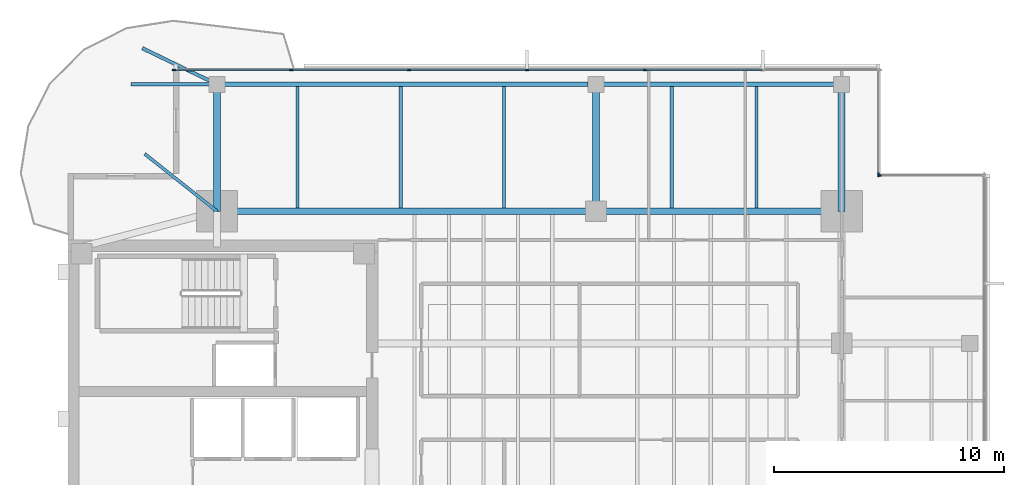
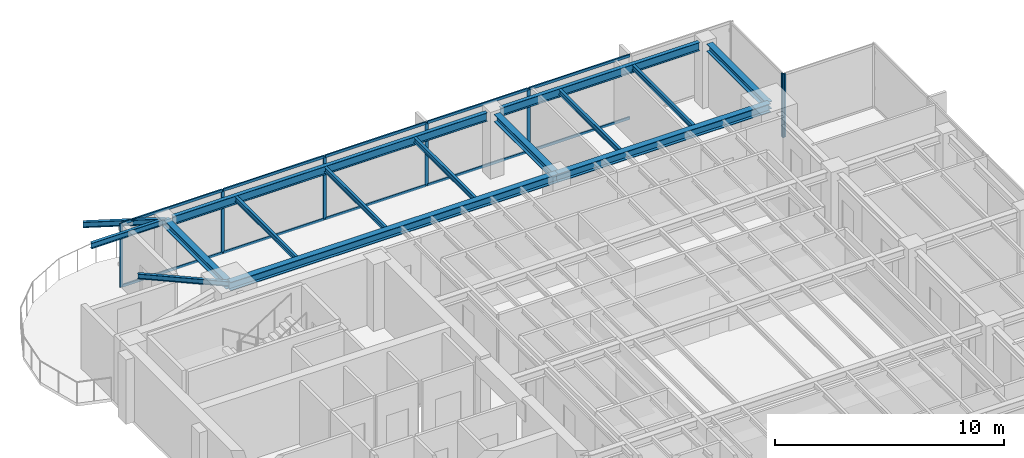
# One storey, part 5 of 14: 17 members, 15 beams, 3 elements without a shape of their own.
"""IFC4 building model written with IfcOpenShell, lengths in metres."""

from ifc_helpers import new_model, si_unit, direction, frame, origin, origin_2d, place, context, subcontext, project, spatial, rectangle, i_section, extrude, material, layer, layer_set, material_profile, profile_set, type_object, element, aggregate, save


model = new_model("IFC4")

# Units and contexts
model_context = context("Model", 3, precision=1e-05, world=origin(), true_north=direction((0.0, 1.0)))
body_context = subcontext(model_context, "Body", "Model", "MODEL_VIEW")
ifc_project = project(units=[si_unit("LENGTHUNIT", "METRE"), si_unit("AREAUNIT", "SQUARE_METRE"), si_unit("VOLUMEUNIT", "CUBIC_METRE"), si_unit("PLANEANGLEUNIT", "RADIAN"), si_unit("MASSUNIT", "GRAM", prefix="KILO")], contexts=[model_context])

# Site, building, storey
site_placement = place(None, origin())
site = spatial("IfcSite", under=ifc_project, at=site_placement, CompositionType="ELEMENT")
building_placement = place(site_placement, origin())
building = spatial("IfcBuilding", under=site, at=building_placement, Name="Kinhvarn Gate Tower", CompositionType="ELEMENT")
storey_placement = place(building_placement, frame((0.0, 0.0, 281.199951171875)))
storey = spatial("IfcBuildingStorey", under=building, at=storey_placement, Name="L75", CompositionType="ELEMENT", Elevation=281.199951171875)

# Curtain wall, members
ifc_material_1 = material(Name="Anodised aluminium AW-6063", Category="aluminium")
ifc_layer_1 = layer(ifc_material_1, 0.179931640625)
ifc_layer_set_1 = layer_set([ifc_layer_1], Name="Anodised aluminium AW-6063")
curtain_wall_type_1 = type_object("IfcCurtainWallType", Name="CW-SYS-3", PredefinedType="NOTDEFINED", material=ifc_layer_set_1)
curtain_wall_1_placement = place(storey_placement, origin())
curtain_wall_1 = element("IfcCurtainWall", 1, at=curtain_wall_1_placement, inside=storey, type_object=curtain_wall_type_1, Name="Curtain Wall CW3 (L75)", PredefinedType="NOTDEFINED")
ifc_material_profile_1 = material_profile(ifc_material_1, rectangle(XDim=0.06494140625, YDim=0.159912109375, at=origin_2d()), Name="ALU 65x160")
ifc_profile_set_1 = profile_set([ifc_material_profile_1], Name="Anodised aluminium AW-6063")
member_type_1 = type_object("IfcMemberType", Name="CW-MUL-160", PredefinedType="MULLION", material=ifc_profile_set_1)
member_1_placement = place(storey_placement, frame((29.63330078125, 43.909912109375, 0.0), z_axis=(0.0, 0.0, 1.0), x_axis=(0.0, -1.0, 0.0)))
member_1 = element("IfcMember", 2, at=member_1_placement, type_object=member_type_1, Name="CW3 mullion 3", PredefinedType="MULLION", context=body_context, shape_type="SweptSolid", body=[
    extrude(rectangle(XDim=0.06494140625, YDim=0.159912109375, at=origin_2d()), origin(), (0.0, 0.0, 1.0), 3.39013671875),
])
member_2_placement = place(storey_placement, frame((24.5, 43.909912109375, 0.0), z_axis=(0.0, 0.0, 1.0), x_axis=(0.0, -1.0, 0.0)))
member_2 = element("IfcMember", 3, at=member_2_placement, type_object=member_type_1, Name="CW3 mullion 4", PredefinedType="MULLION", context=body_context, shape_type="SweptSolid", body=[
    extrude(rectangle(XDim=0.06494140625, YDim=0.159912109375, at=origin_2d()), origin(), (0.0, 0.0, 1.0), 3.39013671875),
])
member_3_placement = place(storey_placement, frame((19.36669921875, 43.909912109375, 0.0), z_axis=(0.0, 0.0, 1.0), x_axis=(0.0, -1.0, 0.0)))
member_3 = element("IfcMember", 4, at=member_3_placement, type_object=member_type_1, Name="CW3 mullion 5", PredefinedType="MULLION", context=body_context, shape_type="SweptSolid", body=[
    extrude(rectangle(XDim=0.06494140625, YDim=0.159912109375, at=origin_2d()), origin(), (0.0, 0.0, 1.0), 3.39013671875),
])
member_4_placement = place(storey_placement, frame((14.2333984375, 43.909912109375, 0.0), z_axis=(0.0, 0.0, 1.0), x_axis=(0.0, -1.0, 0.0)))
member_4 = element("IfcMember", 5, at=member_4_placement, type_object=member_type_1, Name="CW3 mullion 6", PredefinedType="MULLION", context=body_context, shape_type="SweptSolid", body=[
    extrude(rectangle(XDim=0.06494140625, YDim=0.159912109375, at=origin_2d()), origin(), (0.0, 0.0, 1.0), 3.39013671875),
])
member_5_placement = place(storey_placement, frame((9.132568359375, 43.909912109375, 0.0), z_axis=(0.0, 0.0, 1.0), x_axis=(0.0, -1.0, 0.0)))
member_5 = element("IfcMember", 6, at=member_5_placement, type_object=member_type_1, Name="CW3 mullion 7", PredefinedType="MULLION", context=body_context, shape_type="SweptSolid", body=[
    extrude(rectangle(XDim=0.06494140625, YDim=0.159912109375, at=origin_2d()), origin(), (0.0, 0.0, 1.0), 3.39013671875),
])

# Curtain wall, member
ifc_layer_2 = layer(ifc_material_1, 0.179931640625)
ifc_layer_set_2 = layer_set([ifc_layer_2], Name="Anodised aluminium AW-6063")
curtain_wall_type_2 = type_object("IfcCurtainWallType", Name="CW-SYS-4", PredefinedType="NOTDEFINED", material=ifc_layer_set_2)
curtain_wall_2_placement = place(storey_placement, origin())
curtain_wall_2 = element("IfcCurtainWall", 7, at=curtain_wall_2_placement, inside=storey, type_object=curtain_wall_type_2, Name="Curtain Wall CW4 (L75)", PredefinedType="NOTDEFINED")
member_6_placement = place(storey_placement, frame((39.842529296875, 39.31005859375, 0.0), z_axis=(0.0, 0.0, 1.0), x_axis=(0.0, -1.0, 0.0)))
member_6 = element("IfcMember", 8, at=member_6_placement, type_object=member_type_1, Name="CW4 mullion 2", PredefinedType="MULLION", context=body_context, shape_type="SweptSolid", body=[
    extrude(rectangle(XDim=0.06494140625, YDim=0.159912109375, at=origin_2d()), origin(), (0.0, 0.0, 1.0), 3.39013671875),
])
aggregate(curtain_wall_2, [member_6])

curtain_wall_3_placement = place(storey_placement, origin())
curtain_wall_3 = element("IfcCurtainWall", 9, at=curtain_wall_3_placement, inside=storey, type_object=curtain_wall_type_2, Name="Curtain Wall CW4 (L75)", PredefinedType="NOTDEFINED")
member_7_placement = place(storey_placement, frame((39.81005859375, 39.342529296875, 0.0), z_axis=(0.0, 0.0, 1.0), x_axis=(-1.0, 0.0, 0.0)))
member_7 = element("IfcMember", 10, at=member_7_placement, type_object=member_type_1, Name="CW4 mullion 1", PredefinedType="MULLION", context=body_context, shape_type="SweptSolid", body=[
    extrude(rectangle(XDim=0.06494140625, YDim=0.159912109375, at=origin_2d()), origin(), (0.0, 0.0, 1.0), 3.39013671875),
])
aggregate(curtain_wall_3, [member_7])

# Member
ifc_material_profile_2 = material_profile(ifc_material_1, rectangle(XDim=0.070068359375, YDim=0.139892578125, at=origin_2d()), Name="ALU 70x140")
ifc_profile_set_2 = profile_set([ifc_material_profile_2], Name="Anodised aluminium AW-6063")
member_type_2 = type_object("IfcMemberType", Name="CW-TRN-140", PredefinedType="USERDEFINED", material=ifc_profile_set_2)
member_8_placement = place(storey_placement, frame((34.734130859375, 43.909912109375, 0.03515625), z_axis=(-1.0, 0.0, 0.0), x_axis=(0.0, -1.0, 0.0)))
member_8 = element("IfcMember", 11, at=member_8_placement, type_object=member_type_2, Name="CW3 transom 2.1", ObjectType="TRANSOM", PredefinedType="USERDEFINED", context=body_context, shape_type="SweptSolid", body=[
    extrude(rectangle(XDim=0.070068359375, YDim=0.139892578125, at=origin_2d()), origin(), (0.0, 0.0, 1.0), 5.068359375),
])

member_9_placement = place(storey_placement, frame((34.734130859375, 43.909912109375, 3.35498046875), z_axis=(-1.0, 0.0, 0.0), x_axis=(0.0, -1.0, 0.0)))
member_9 = element("IfcMember", 12, at=member_9_placement, type_object=member_type_2, Name="CW3 transom 2.2", ObjectType="TRANSOM", PredefinedType="USERDEFINED", context=body_context, shape_type="SweptSolid", body=[
    extrude(rectangle(XDim=0.070068359375, YDim=0.139892578125, at=origin_2d()), origin(), (0.0, 0.0, 1.0), 5.068359375),
])

member_10_placement = place(storey_placement, frame((29.600830078125, 43.909912109375, 0.03515625), z_axis=(-1.0, 0.0, 0.0), x_axis=(0.0, -1.0, 0.0)))
member_10 = element("IfcMember", 13, at=member_10_placement, type_object=member_type_2, Name="CW3 transom 3.1", ObjectType="TRANSOM", PredefinedType="USERDEFINED", context=body_context, shape_type="SweptSolid", body=[
    extrude(rectangle(XDim=0.070068359375, YDim=0.139892578125, at=origin_2d()), origin(), (0.0, 0.0, 1.0), 5.068359375),
])

member_11_placement = place(storey_placement, frame((29.600830078125, 43.909912109375, 3.35498046875), z_axis=(-1.0, 0.0, 0.0), x_axis=(0.0, -1.0, 0.0)))
member_11 = element("IfcMember", 14, at=member_11_placement, type_object=member_type_2, Name="CW3 transom 3.2", ObjectType="TRANSOM", PredefinedType="USERDEFINED", context=body_context, shape_type="SweptSolid", body=[
    extrude(rectangle(XDim=0.070068359375, YDim=0.139892578125, at=origin_2d()), origin(), (0.0, 0.0, 1.0), 5.068359375),
])

member_12_placement = place(storey_placement, frame((24.467529296875, 43.909912109375, 0.03515625), z_axis=(-1.0, 0.0, 0.0), x_axis=(0.0, -1.0, 0.0)))
member_12 = element("IfcMember", 15, at=member_12_placement, type_object=member_type_2, Name="CW3 transom 4.1", ObjectType="TRANSOM", PredefinedType="USERDEFINED", context=body_context, shape_type="SweptSolid", body=[
    extrude(rectangle(XDim=0.070068359375, YDim=0.139892578125, at=origin_2d()), origin(), (0.0, 0.0, 1.0), 5.068359375),
])

member_13_placement = place(storey_placement, frame((24.467529296875, 43.909912109375, 3.35498046875), z_axis=(-1.0, 0.0, 0.0), x_axis=(0.0, -1.0, 0.0)))
member_13 = element("IfcMember", 16, at=member_13_placement, type_object=member_type_2, Name="CW3 transom 4.2", ObjectType="TRANSOM", PredefinedType="USERDEFINED", context=body_context, shape_type="SweptSolid", body=[
    extrude(rectangle(XDim=0.070068359375, YDim=0.139892578125, at=origin_2d()), origin(), (0.0, 0.0, 1.0), 5.068359375),
])

member_14_placement = place(storey_placement, frame((19.334228515625, 43.909912109375, 0.03515625), z_axis=(-1.0, 0.0, 0.0), x_axis=(0.0, -1.0, 0.0)))
member_14 = element("IfcMember", 17, at=member_14_placement, type_object=member_type_2, Name="CW3 transom 5.1", ObjectType="TRANSOM", PredefinedType="USERDEFINED", context=body_context, shape_type="SweptSolid", body=[
    extrude(rectangle(XDim=0.070068359375, YDim=0.139892578125, at=origin_2d()), origin(), (0.0, 0.0, 1.0), 5.068359375),
])

member_15_placement = place(storey_placement, frame((19.334228515625, 43.909912109375, 3.35498046875), z_axis=(-1.0, 0.0, 0.0), x_axis=(0.0, -1.0, 0.0)))
member_15 = element("IfcMember", 18, at=member_15_placement, type_object=member_type_2, Name="CW3 transom 5.2", ObjectType="TRANSOM", PredefinedType="USERDEFINED", context=body_context, shape_type="SweptSolid", body=[
    extrude(rectangle(XDim=0.070068359375, YDim=0.139892578125, at=origin_2d()), origin(), (0.0, 0.0, 1.0), 5.068359375),
])

member_16_placement = place(storey_placement, frame((14.200927734375, 43.909912109375, 0.03515625), z_axis=(-1.0, 0.0, 0.0), x_axis=(0.0, -1.0, 0.0)))
member_16 = element("IfcMember", 19, at=member_16_placement, type_object=member_type_2, Name="CW3 transom 6.1", ObjectType="TRANSOM", PredefinedType="USERDEFINED", context=body_context, shape_type="SweptSolid", body=[
    extrude(rectangle(XDim=0.070068359375, YDim=0.139892578125, at=origin_2d()), origin(), (0.0, 0.0, 1.0), 5.035888671875),
])

member_17_placement = place(storey_placement, frame((14.200927734375, 43.909912109375, 3.35498046875), z_axis=(-1.0, 0.0, 0.0), x_axis=(0.0, -1.0, 0.0)))
member_17 = element("IfcMember", 20, at=member_17_placement, type_object=member_type_2, Name="CW3 transom 6.2", ObjectType="TRANSOM", PredefinedType="USERDEFINED", context=body_context, shape_type="SweptSolid", body=[
    extrude(rectangle(XDim=0.070068359375, YDim=0.139892578125, at=origin_2d()), origin(), (0.0, 0.0, 1.0), 5.035888671875),
])

aggregate(curtain_wall_1, [member_1, member_2, member_3, member_4, member_5, member_8, member_9, member_10, member_11, member_12, member_13, member_14, member_15, member_16, member_17])

# Beams
ifc_material_2 = material(Name="Steel S355", Category="steel")
ifc_material_profile_3 = material_profile(ifc_material_2, i_section(OverallWidth=0.300048828125, OverallDepth=0.39990234375, WebThickness=0.013427734375, FlangeThickness=0.02392578125, at=origin_2d()), Name="HEB 400")
ifc_profile_set_3 = profile_set([ifc_material_profile_3], Name="Steel S355")
beam_type_1 = type_object("IfcBeamType", Name="STL-HEB400", PredefinedType="BEAM", material=ifc_profile_set_3)
beam_1_placement = place(storey_placement, frame((11.0, 37.75, 3.18994140625), z_axis=(0.0, 1.0, 0.0), x_axis=(-1.0, 0.0, 0.0)))
element("IfcBeam", 21, at=beam_1_placement, inside=storey, type_object=beam_type_1, Name="Floor Beam PG-12 (L75 MCW-N)", PredefinedType="BEAM", context=body_context, shape_type="SweptSolid", body=[
    extrude(i_section(OverallWidth=0.300048828125, OverallDepth=0.39990234375, WebThickness=0.013427734375, FlangeThickness=0.02392578125, at=origin_2d()), origin(), (0.0, 0.0, 1.0), 5.530029296875),
])
for number, where, z_axis, x_axis, name in (
    (22, (27.5, 37.75, 3.18994140625), (0.0, 1.0, 0.0), (-1.0, 0.0, 0.0), "Floor Beam PG-12 (L75 SP27-N-TIE)"),
    (23, (38.199951171875, 37.75, 3.18994140625), (0.0, 1.0, 0.0), (-1.0, 0.0, 0.0), "Floor Beam PG-12 (L75 MCE-N)"),
):
    element("IfcBeam", number, at=place(storey_placement, frame(where, z_axis=z_axis, x_axis=x_axis)), inside=storey, type_object=beam_type_1, Name=name, PredefinedType="BEAM", context=body_context, shape_type="SweptSolid", body=[
        extrude(i_section(OverallWidth=0.300048828125, OverallDepth=0.39990234375, WebThickness=0.013427734375, FlangeThickness=0.02392578125, at=origin_2d()), origin(), (0.0, 0.0, 1.0), 5.195068359375),
    ])
ifc_material_profile_4 = material_profile(ifc_material_2, i_section(OverallWidth=0.300048828125, OverallDepth=0.449951171875, WebThickness=0.013916015625, FlangeThickness=0.02587890625, at=origin_2d()), Name="HEB 450")
ifc_profile_set_4 = profile_set([ifc_material_profile_4], Name="Steel S355")
beam_type_2 = type_object("IfcBeamType", Name="STL-HEB450", PredefinedType="BEAM", material=ifc_profile_set_4)
beam_2_placement = place(storey_placement, frame((11.0, 37.75, 3.1650390625), z_axis=(1.0, 0.0, 0.0), x_axis=(0.0, 1.0, 0.0)))
element("IfcBeam", 24, at=beam_2_placement, inside=storey, type_object=beam_type_2, Name="Floor Beam PG-13 (L75 MG-N1)", PredefinedType="BEAM", context=body_context, shape_type="SweptSolid", body=[
    extrude(i_section(OverallWidth=0.300048828125, OverallDepth=0.449951171875, WebThickness=0.013916015625, FlangeThickness=0.02587890625, at=origin_2d()), origin(), (0.0, 0.0, 1.0), 16.5),
])
beam_3_placement = place(storey_placement, frame((27.5, 37.75, 3.1650390625), z_axis=(1.0, 0.0, 0.0), x_axis=(0.0, 1.0, 0.0)))
element("IfcBeam", 25, at=beam_3_placement, inside=storey, type_object=beam_type_2, Name="Floor Beam PG-13 (L75 MG-N2)", PredefinedType="BEAM", context=body_context, shape_type="SweptSolid", body=[
    extrude(i_section(OverallWidth=0.300048828125, OverallDepth=0.449951171875, WebThickness=0.013916015625, FlangeThickness=0.02587890625, at=origin_2d()), origin(), (0.0, 0.0, 1.0), 10.699951171875),
])
ifc_material_profile_5 = material_profile(ifc_material_2, i_section(OverallWidth=0.135009765625, OverallDepth=0.27001953125, WebThickness=0.006591796875, FlangeThickness=0.01025390625, at=origin_2d()), Name="IPE 270")
ifc_profile_set_5 = profile_set([ifc_material_profile_5], Name="Steel S355")
beam_type_3 = type_object("IfcBeamType", Name="STL-IPE270", PredefinedType="JOIST", material=ifc_profile_set_5)
for number, where, z_axis, x_axis, name in (
    (26, (14.5, 37.89990234375, 3.255126953125), (0.0, 1.0, 0.0), (-1.0, 0.0, 0.0), "Floor Joist SB-01 (L75 JN-X145)"),
    (27, (19.0, 37.89990234375, 3.255126953125), (0.0, 1.0, 0.0), (-1.0, 0.0, 0.0), "Floor Joist SB-01 (L75 JN-X190)"),
    (28, (23.5, 37.89990234375, 3.255126953125), (0.0, 1.0, 0.0), (-1.0, 0.0, 0.0), "Floor Joist SB-01 (L75 JN-X235)"),
    (29, (30.800048828125, 37.89990234375, 3.255126953125), (0.0, 1.0, 0.0), (-1.0, 0.0, 0.0), "Floor Joist SB-01 (L75 JN-X308)"),
    (30, (34.5, 37.89990234375, 3.255126953125), (0.0, 1.0, 0.0), (-1.0, 0.0, 0.0), "Floor Joist SB-01 (L75 JN-X345)"),
):
    element("IfcBeam", number, at=place(storey_placement, frame(where, z_axis=z_axis, x_axis=x_axis)), inside=storey, type_object=beam_type_3, Name=name, PredefinedType="JOIST", context=body_context, shape_type="SweptSolid", body=[
        extrude(i_section(OverallWidth=0.135009765625, OverallDepth=0.27001953125, WebThickness=0.006591796875, FlangeThickness=0.01025390625, at=origin_2d()), origin(), (0.0, 0.0, 1.0), 5.28515625),
    ])
beam_4_placement = place(storey_placement, frame((11.0, 37.75, 3.255126953125), z_axis=(-0.783279518214, 0.621669684275, 0.0), x_axis=(-0.621669684275, -0.783279518214, 0.0)))
element("IfcBeam", 31, at=beam_4_placement, inside=storey, type_object=beam_type_3, Name="Floor Joist SB-01 (L75 BAL-B3-L76)", PredefinedType="JOIST", context=body_context, shape_type="SweptSolid", body=[
    extrude(i_section(OverallWidth=0.135009765625, OverallDepth=0.27001953125, WebThickness=0.006591796875, FlangeThickness=0.01025390625, at=origin_2d()), origin(), (0.0, 0.0, 1.0), 4.021484375),
])
ifc_material_profile_6 = material_profile(ifc_material_2, i_section(OverallWidth=0.14990234375, OverallDepth=0.300048828125, WebThickness=0.007080078125, FlangeThickness=0.0107421875, at=origin_2d()), Name="IPE 300")
ifc_profile_set_6 = profile_set([ifc_material_profile_6], Name="Steel S355")
beam_type_4 = type_object("IfcBeamType", Name="STL-IPE300", PredefinedType="JOIST", material=ifc_profile_set_6)
beam_5_placement = place(storey_placement, frame((11.0, 43.280029296875, 3.239990234375), z_axis=(-1.0, 0.0, 0.0), x_axis=(0.0, -1.0, 0.0)))
element("IfcBeam", 32, at=beam_5_placement, inside=storey, type_object=beam_type_4, Name="Floor Joist SB-02 (L75 BAL-B1-L76)", PredefinedType="JOIST", context=body_context, shape_type="SweptSolid", body=[
    extrude(i_section(OverallWidth=0.14990234375, OverallDepth=0.300048828125, WebThickness=0.007080078125, FlangeThickness=0.0107421875, at=origin_2d()), origin(), (0.0, 0.0, 1.0), 3.75),
])
beam_6_placement = place(storey_placement, frame((11.0, 43.280029296875, 3.239990234375), z_axis=(-0.900431975558, 0.434996847567, 0.0), x_axis=(-0.434996847567, -0.900431975558, 0.0)))
element("IfcBeam", 33, at=beam_6_placement, inside=storey, type_object=beam_type_4, Name="Floor Joist SB-02 (L75 BAL-B2-L76)", PredefinedType="JOIST", context=body_context, shape_type="SweptSolid", body=[
    extrude(i_section(OverallWidth=0.14990234375, OverallDepth=0.300048828125, WebThickness=0.007080078125, FlangeThickness=0.0107421875, at=origin_2d()), origin(), (0.0, 0.0, 1.0), 3.609375),
])
ifc_material_profile_7 = material_profile(ifc_material_2, i_section(OverallWidth=0.18994140625, OverallDepth=0.449951171875, WebThickness=0.009521484375, FlangeThickness=0.0146484375, at=origin_2d()), Name="IPE 450")
ifc_profile_set_7 = profile_set([ifc_material_profile_7], Name="Steel S355")
beam_type_5 = type_object("IfcBeamType", Name="STL-IPE450", PredefinedType="JOIST", material=ifc_profile_set_7)
beam_7_placement = place(storey_placement, frame((11.3349609375, 43.280029296875, 3.1650390625), z_axis=(1.0, 0.0, 0.0), x_axis=(0.0, 1.0, 0.0)))
element("IfcBeam", 34, at=beam_7_placement, inside=storey, type_object=beam_type_5, Name="Floor Joist SB-06 (L75 SP-N1)", PredefinedType="JOIST", context=body_context, shape_type="SweptSolid", body=[
    extrude(i_section(OverallWidth=0.18994140625, OverallDepth=0.449951171875, WebThickness=0.009521484375, FlangeThickness=0.0146484375, at=origin_2d()), origin(), (0.0, 0.0, 1.0), 15.830078125),
])
beam_8_placement = place(storey_placement, frame((27.8349609375, 43.280029296875, 3.1650390625), z_axis=(1.0, 0.0, 0.0), x_axis=(0.0, 1.0, 0.0)))
element("IfcBeam", 35, at=beam_8_placement, inside=storey, type_object=beam_type_5, Name="Floor Joist SB-06 (L75 SP-N2)", PredefinedType="JOIST", context=body_context, shape_type="SweptSolid", body=[
    extrude(i_section(OverallWidth=0.18994140625, OverallDepth=0.449951171875, WebThickness=0.009521484375, FlangeThickness=0.0146484375, at=origin_2d()), origin(), (0.0, 0.0, 1.0), 10.030029296875),
])

save(model, "model.ifc")
